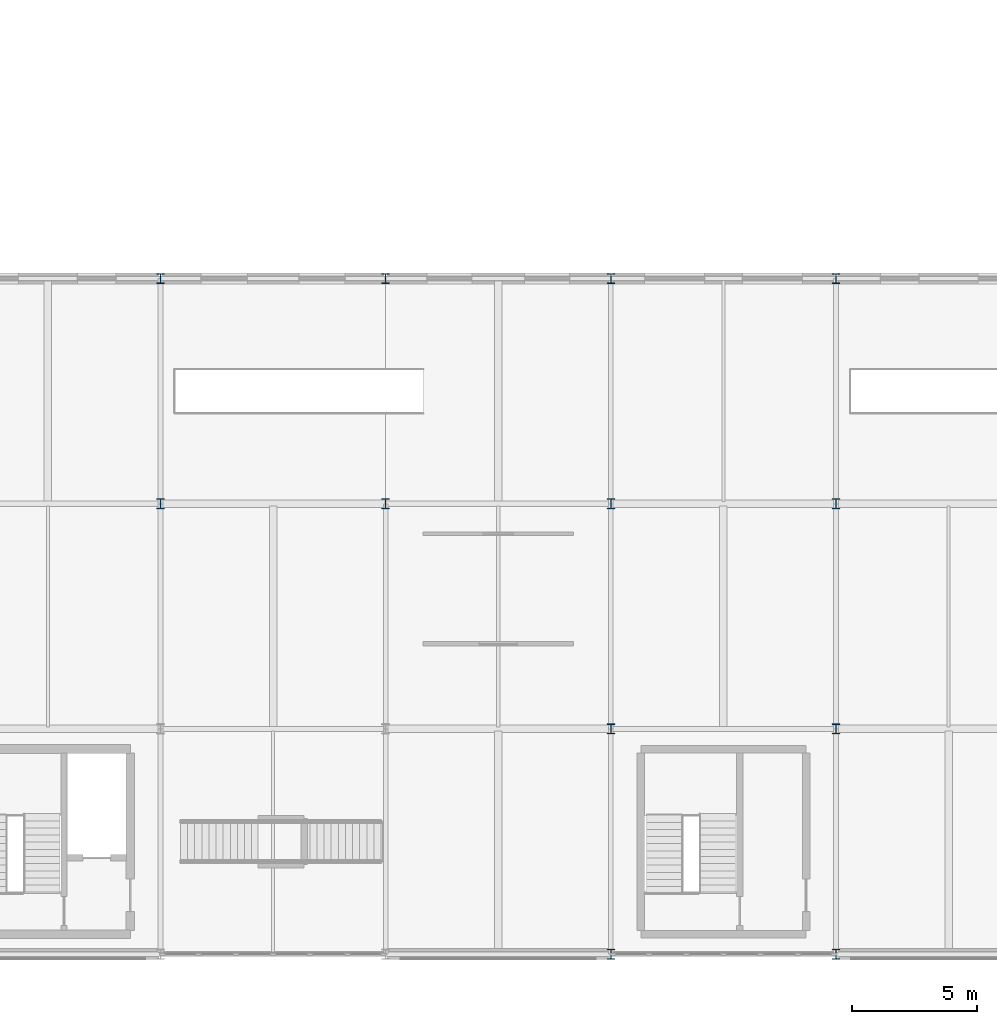
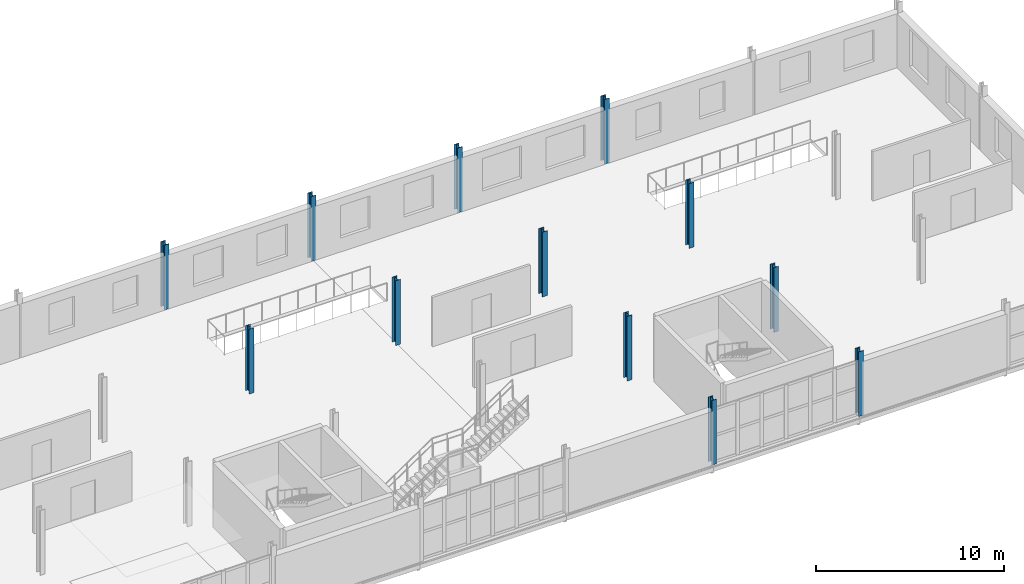
# One storey, part 2 of 161: 12 columns.
"""IFC4 building model written with IfcOpenShell, lengths in metres."""

from ifc_helpers import new_model, si_unit, direction, frame, origin, origin_2d, place, context, subcontext, project, spatial, i_section, extrude, material, material_profile, profile_set, type_object, element, save


model = new_model("IFC4")

# Units and contexts
model_context = context("Model", 3, precision=1e-05, world=origin(), true_north=direction((0.0, 1.0)))
body_context = subcontext(model_context, "Body", "Model", "MODEL_VIEW")
ifc_project = project(units=[si_unit("LENGTHUNIT", "METRE"), si_unit("AREAUNIT", "SQUARE_METRE"), si_unit("VOLUMEUNIT", "CUBIC_METRE"), si_unit("PLANEANGLEUNIT", "RADIAN"), si_unit("MASSUNIT", "GRAM", prefix="KILO")], contexts=[model_context])

# Site, building, storey
site_placement = place(None, origin())
site = spatial("IfcSite", under=ifc_project, at=site_placement, CompositionType="ELEMENT")
building_placement = place(site_placement, origin())
building = spatial("IfcBuilding", under=site, at=building_placement, Name="Kildeholm Park Wholesale Market", CompositionType="ELEMENT")
storey_placement = place(building_placement, frame((0.0, 0.0, 5.39990234375)))
storey = spatial("IfcBuildingStorey", under=building, at=storey_placement, Name="L01", CompositionType="ELEMENT", Elevation=5.39990234375)

# Columns
ifc_material = material(Name="Steel S355", Category="steel")
ifc_material_profile = material_profile(ifc_material, i_section(OverallWidth=0.300048828125, OverallDepth=0.39990234375, WebThickness=0.013427734375, FlangeThickness=0.02392578125, FilletRadius=0.027099609375, at=origin_2d()), Name="HEB 400")
ifc_profile_set = profile_set([ifc_material_profile], Name="Steel S355")
column_type = type_object("IfcColumnType", Name="Column C-S05 HEB 400", PredefinedType="COLUMN", material=ifc_profile_set)
for number, where, z_axis, x_axis, name in (
    (1, (36.0, 18.0, 0.0), (0.0, 0.0, 1.0), (1.0, 0.0, 0.0), "Column V5W-036-018 L01 COL-0688"),
    (2, (36.0, 27.0, 0.0), (0.0, 0.0, 1.0), (1.0, 0.0, 0.0), "Column V5W-036-027 L01 COL-0692"),
    (3, (45.0, 18.0, 0.0), (0.0, 0.0, 1.0), (1.0, 0.0, 0.0), "Column V5W-045-018 L01 COL-0702"),
    (4, (45.0, 27.0, 0.0), (0.0, 0.0, 1.0), (1.0, 0.0, 0.0), "Column V5W-045-027 L01 COL-0706"),
    (5, (54.0, 0.0, 0.0), (0.0, 0.0, 1.0), (1.0, 0.0, 0.0), "Column V5W-054-000 L01 COL-0708"),
    (6, (54.0, 9.0, 0.0), (0.0, 0.0, 1.0), (1.0, 0.0, 0.0), "Column V5W-054-009 L01 COL-0712"),
    (7, (54.0, 18.0, 0.0), (0.0, 0.0, 1.0), (1.0, 0.0, 0.0), "Column V5W-054-018 L01 COL-0716"),
    (8, (54.0, 27.0, 0.0), (0.0, 0.0, 1.0), (1.0, 0.0, 0.0), "Column V5W-054-027 L01 COL-0720"),
    (9, (63.0, 0.0, 0.0), (0.0, 0.0, 1.0), (1.0, 0.0, 0.0), "Column V5W-063-000 L01 COL-0722"),
    (10, (63.0, 9.0, 0.0), (0.0, 0.0, 1.0), (1.0, 0.0, 0.0), "Column V5W-063-009 L01 COL-0726"),
    (11, (63.0, 18.0, 0.0), (0.0, 0.0, 1.0), (1.0, 0.0, 0.0), "Column V5W-063-018 L01 COL-0730"),
    (12, (63.0, 27.0, 0.0), (0.0, 0.0, 1.0), (1.0, 0.0, 0.0), "Column V5W-063-027 L01 COL-0734"),
):
    element("IfcColumn", number, at=place(storey_placement, frame(where, z_axis=z_axis, x_axis=x_axis)), inside=storey, type_object=column_type, Name=name, PredefinedType="COLUMN", context=body_context, shape_type="SweptSolid", body=[
        extrude(i_section(OverallWidth=0.300048828125, OverallDepth=0.39990234375, WebThickness=0.013427734375, FlangeThickness=0.02392578125, FilletRadius=0.027099609375, at=origin_2d()), origin(), (0.0, 0.0, 1.0), 4.2001953125),
    ])

save(model, "model.ifc")
